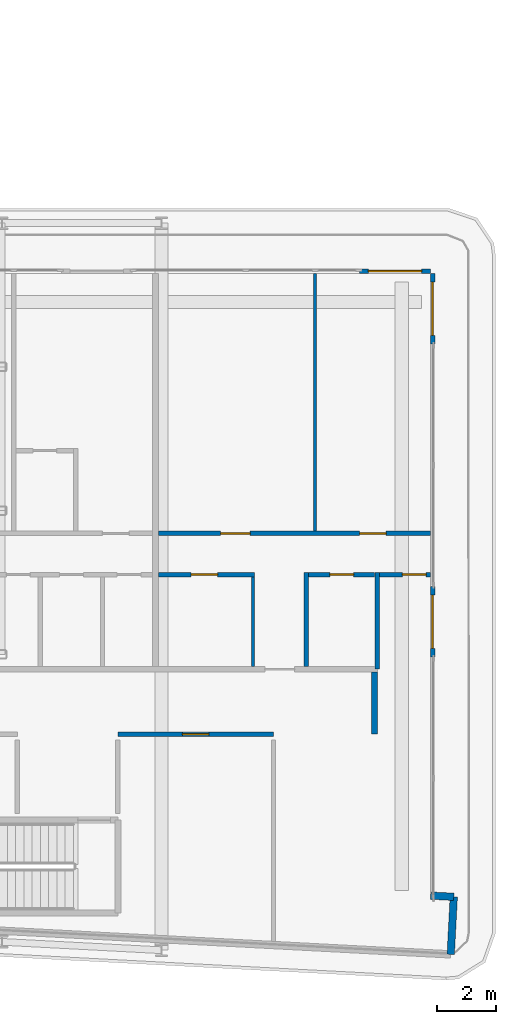
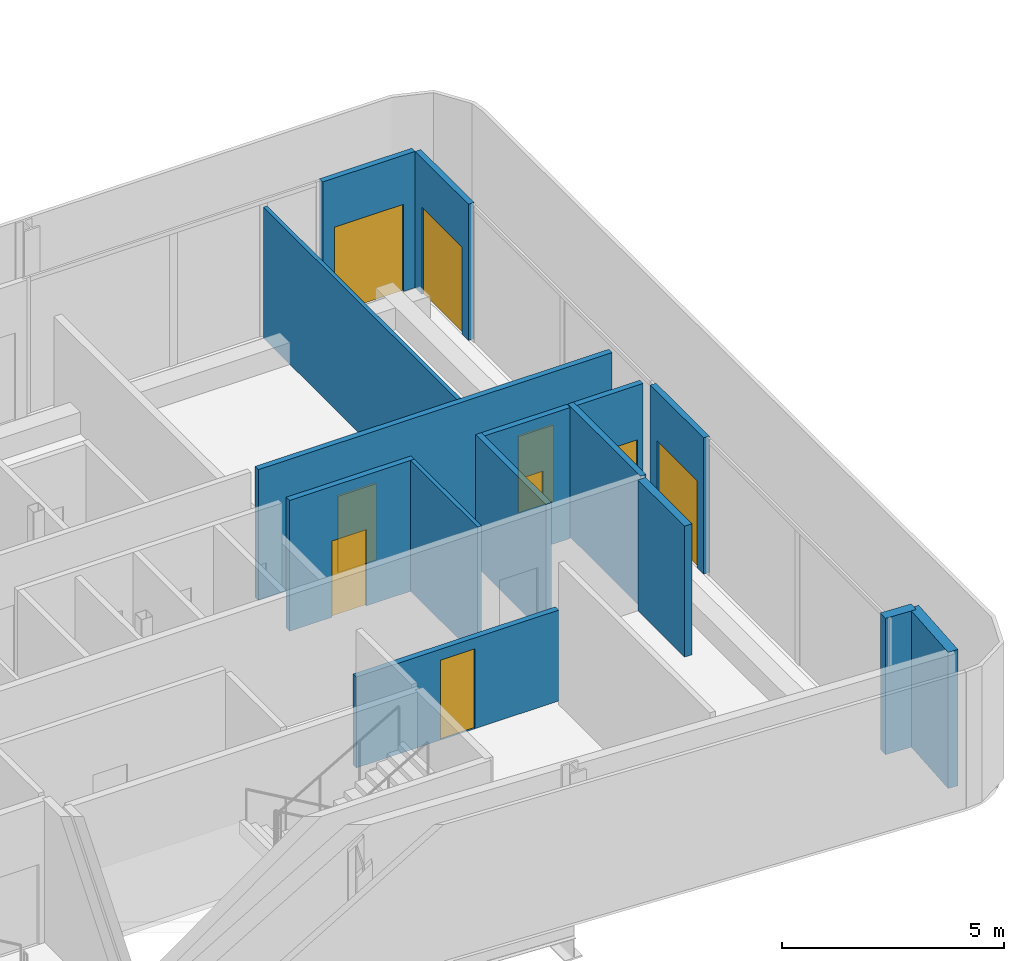
# One storey, part 20 of 29: 15 walls, 9 doors, 9 openings.
"""IFC4 building model written with IfcOpenShell, lengths in metres."""

from ifc_helpers import new_model, si_unit, direction, frame, frame_2d, origin, place, context, subcontext, project, spatial, rectangle, extrude, source, transform, mapped, material, layer, layer_set, type_object, element, fill, save


model = new_model("IFC4")

# Units and contexts
model_context = context("Model", 3, precision=1e-05, world=origin(), true_north=direction((0.0, 1.0)))
body_context = subcontext(model_context, "Body", "Model", "MODEL_VIEW")
ifc_project = project(units=[si_unit("LENGTHUNIT", "METRE"), si_unit("AREAUNIT", "SQUARE_METRE"), si_unit("VOLUMEUNIT", "CUBIC_METRE"), si_unit("PLANEANGLEUNIT", "RADIAN"), si_unit("MASSUNIT", "GRAM", prefix="KILO")], contexts=[model_context])

# Site, building, storey
site_placement = place(None, origin())
site = spatial("IfcSite", under=ifc_project, at=site_placement, CompositionType="ELEMENT")
building_placement = place(site_placement, origin())
building = spatial("IfcBuilding", under=site, at=building_placement, Name="Kheshtan School and Residences Tower", CompositionType="ELEMENT")
storey_placement = place(building_placement, frame((0.0, 0.0, 183.800048828125)))
storey = spatial("IfcBuildingStorey", under=building, at=storey_placement, Name="L43", CompositionType="ELEMENT", Elevation=183.800048828125)

# Walls
ifc_material_1 = material(Name="Gypsum board on steel studs with fire boards", Category="steel")
ifc_layer_1 = layer(ifc_material_1, 0.199951171875)
ifc_layer_set_1 = layer_set([ifc_layer_1], Name="Corridor wall 200")
wall_type_1 = type_object("IfcWallType", Name="Corridor wall 200", PredefinedType="PARTITIONING", material=ifc_layer_set_1)
wall_1_placement = place(storey_placement, frame((98.0, 28.300048828125, 0.0), z_axis=(0.0, 0.0, 1.0), x_axis=(0.0, 1.0, 0.0)))
element("IfcWall", 1, at=wall_1_placement, inside=storey, type_object=wall_type_1, Name="Partition L43-077", PredefinedType="PARTITIONING", context=body_context, shape_type="SweptSolid", body=[
    extrude(rectangle(XDim=2.099853515625, YDim=0.199951171875, at=frame_2d((1.0498046875, 0.0))), origin(), (0.0, 0.0, 1.0), 3.599853515625),
])
ifc_material_2 = material(Name="Concrete C40/50 with ceramic cladding and mineral wool insulation", Category="concrete")
ifc_layer_2 = layer(ifc_material_2, 0.25)
ifc_layer_set_2 = layer_set([ifc_layer_2], Name="External wall 250 ceramic clad")
wall_type_2 = type_object("IfcWallType", Name="External wall 250 ceramic clad", PredefinedType="SOLIDWALL", material=ifc_layer_set_2)
wall_2_placement = place(storey_placement, frame((99.906982421875, 22.839111328125, 0.0), z_axis=(0.0, 0.0, 1.0), x_axis=(0.998561284263, -0.053622398031, 0.0)))
element("IfcWall", 2, at=wall_2_placement, inside=storey, type_object=wall_type_2, Name="External wall L43 14", PredefinedType="SOLIDWALL", context=body_context, shape_type="SweptSolid", body=[
    extrude(rectangle(XDim=0.783203125, YDim=0.25, at=frame_2d((0.3916015625, 0.0))), origin(), (0.0, 0.0, 1.0), 3.75),
])
wall_3_placement = place(storey_placement, frame((100.68896484375, 22.797119140625, 0.0), z_axis=(0.0, 0.0, 1.0), x_axis=(-0.052841433274, -0.998602915542, 0.0)))
element("IfcWall", 3, at=wall_3_placement, inside=storey, type_object=wall_type_2, Name="External wall L43 15", PredefinedType="SOLIDWALL", context=body_context, shape_type="SweptSolid", body=[
    extrude(rectangle(XDim=1.94970703125, YDim=0.25, at=frame_2d((0.974853515625, 0.0))), origin(), (0.0, 0.0, 1.0), 3.75),
])

# Wall, opening, door
ifc_material_3 = material(Name="Aluminium frame wall with insulated infill", Category="aluminium")
ifc_layer_3 = layer(ifc_material_3, 0.14990234375)
ifc_layer_set_3 = layer_set([ifc_layer_3], Name="Glazing frame wall 150")
wall_type_3 = type_object("IfcWallType", Name="Glazing frame wall 150", PredefinedType="SOLIDWALL", material=ifc_layer_set_3)
wall_4_placement = place(storey_placement, frame((97.5, 43.97509765625, 0.0), z_axis=(0.0, 0.0, 1.0), x_axis=(1.0, 0.0, 0.0)))
wall_4 = element("IfcWall", 4, at=wall_4_placement, inside=storey, type_object=wall_type_3, Name="Balcony door wall L43 12.5", PredefinedType="SOLIDWALL", context=body_context, shape_type="SweptSolid", body=[
    extrude(rectangle(XDim=2.39990234375, YDim=0.14990234375, at=frame_2d((1.199951171875, 0.0))), origin(), (0.0, 0.0, 1.0), 3.75),
])
opening_1_placement = place(wall_4_placement, frame((0.300048828125, 0.0, 0.0)))
opening_1 = element("IfcOpeningElement", 5, at=opening_1_placement, cuts=wall_4, Name="Opening BD", PredefinedType="OPENING", context=body_context, shape_type="SweptSolid", body=[
    extrude(rectangle(XDim=1.800048828125, YDim=2.39990234375, at=frame_2d((0.89990234375, 1.199951171875))), frame((0.0, 0.0849609375, 0.0), z_axis=(0.0, -1.0, 0.0), x_axis=(1.0, 0.0, 0.0)), (0.0, 0.0, 1.0), 0.169921875),
])
ifc_material_4 = material(Name="Clear low-e glass in thermally broken aluminium frame", Category="aluminium")
door_type_1 = type_object("IfcDoorType", Name="Balcony sliding door", OperationType="SLIDING_TO_LEFT", PredefinedType="DOOR", material=ifc_material_4)
shared_shape_1 = source(origin(), body_context, "Body", "SweptSolid", [
    extrude(rectangle(XDim=1.800048828125, YDim=2.39990234375, at=frame_2d((0.89990234375, 1.199951171875))), frame((0.0, 0.02490234375, 0.0), z_axis=(0.0, -1.0, 0.0), x_axis=(1.0, 0.0, 0.0)), (0.0, 0.0, 1.0), 0.050048828125),
])
door_1_placement = place(opening_1_placement, origin())
door_1 = element("IfcDoor", 6, at=door_1_placement, inside=storey, type_object=door_type_1, Name="Balcony door L43 12.5", OperationType="SLIDING_TO_LEFT", OverallHeight=2.39990234375, OverallWidth=1.800048828125, PredefinedType="DOOR", context=body_context, shape_type="MappedRepresentation", body=[
    mapped(shared_shape_1, transform((0.0, 0.0, 0.0), x_axis=(1.0, 0.0, 0.0), y_axis=(0.0, 1.0, 0.0), z_axis=(0.0, 0.0, 1.0), scale=1.0)),
])
fill(opening_1, door_1)

wall_5_placement = place(storey_placement, frame((99.97509765625, 43.89990234375, 0.0), z_axis=(0.0, 0.0, 1.0), x_axis=(0.0, -1.0, 0.0)))
wall_5 = element("IfcWall", 7, at=wall_5_placement, inside=storey, type_object=wall_type_3, Name="Balcony door wall L43 13.1", PredefinedType="SOLIDWALL", context=body_context, shape_type="SweptSolid", body=[
    extrude(rectangle(XDim=2.39990234375, YDim=0.14990234375, at=frame_2d((1.199951171875, 0.0))), origin(), (0.0, 0.0, 1.0), 3.75),
])
opening_2_placement = place(wall_5_placement, frame((0.300048828125, 0.0, 0.0)))
opening_2 = element("IfcOpeningElement", 8, at=opening_2_placement, cuts=wall_5, Name="Opening BD", PredefinedType="OPENING", context=body_context, shape_type="SweptSolid", body=[
    extrude(rectangle(XDim=1.800048828125, YDim=2.39990234375, at=frame_2d((0.89990234375, 1.199951171875))), frame((0.0, 0.0849609375, 0.0), z_axis=(0.0, -1.0, 0.0), x_axis=(1.0, 0.0, 0.0)), (0.0, 0.0, 1.0), 0.169921875),
])
door_2_placement = place(opening_2_placement, origin())
door_2 = element("IfcDoor", 9, at=door_2_placement, inside=storey, type_object=door_type_1, Name="Balcony door L43 13.1", OperationType="SLIDING_TO_LEFT", OverallHeight=2.39990234375, OverallWidth=1.800048828125, PredefinedType="DOOR", context=body_context, shape_type="MappedRepresentation", body=[
    mapped(shared_shape_1, transform((0.0, 0.0, 0.0), x_axis=(1.0, 0.0, 0.0), y_axis=(0.0, 1.0, 0.0), z_axis=(0.0, 0.0, 1.0), scale=1.0)),
])
fill(opening_2, door_2)

wall_6_placement = place(storey_placement, frame((99.97509765625, 33.306884765625, 0.0), z_axis=(0.0, 0.0, 1.0), x_axis=(0.0, -1.0, 0.0)))
wall_6 = element("IfcWall", 10, at=wall_6_placement, inside=storey, type_object=wall_type_3, Name="Balcony door wall L43 13.2", PredefinedType="SOLIDWALL", context=body_context, shape_type="SweptSolid", body=[
    extrude(rectangle(XDim=2.39990234375, YDim=0.14990234375, at=frame_2d((1.199951171875, 0.0))), origin(), (0.0, 0.0, 1.0), 3.75),
])
opening_3_placement = place(wall_6_placement, frame((0.300048828125, 0.0, 0.0)))
opening_3 = element("IfcOpeningElement", 11, at=opening_3_placement, cuts=wall_6, Name="Opening BD", PredefinedType="OPENING", context=body_context, shape_type="SweptSolid", body=[
    extrude(rectangle(XDim=1.800048828125, YDim=2.39990234375, at=frame_2d((0.89990234375, 1.199951171875))), frame((0.0, 0.0849609375, 0.0), z_axis=(0.0, -1.0, 0.0), x_axis=(1.0, 0.0, 0.0)), (0.0, 0.0, 1.0), 0.169921875),
])
door_3_placement = place(opening_3_placement, origin())
door_3 = element("IfcDoor", 12, at=door_3_placement, inside=storey, type_object=door_type_1, Name="Balcony door L43 13.2", OperationType="SLIDING_TO_LEFT", OverallHeight=2.39990234375, OverallWidth=1.800048828125, PredefinedType="DOOR", context=body_context, shape_type="MappedRepresentation", body=[
    mapped(shared_shape_1, transform((0.0, 0.0, 0.0), x_axis=(1.0, 0.0, 0.0), y_axis=(0.0, 1.0, 0.0), z_axis=(0.0, 0.0, 1.0), scale=1.0)),
])
fill(opening_3, door_3)

# Walls
ifc_material_5 = material(Name="Gypsum board on steel studs", Category="steel")
ifc_layer_4 = layer(ifc_material_5, 0.10009765625)
ifc_layer_set_4 = layer_set([ifc_layer_4], Name="Gypsum partition 100")
wall_type_4 = type_object("IfcWallType", Name="Gypsum partition 100", PredefinedType="PARTITIONING", material=ifc_layer_set_4)
wall_7_placement = place(storey_placement, frame((93.89990234375, 30.60009765625, 0.0), z_axis=(0.0, 0.0, 1.0), x_axis=(0.0, 1.0, 0.0)))
element("IfcWall", 13, at=wall_7_placement, inside=storey, type_object=wall_type_4, Name="Partition L43-073", PredefinedType="PARTITIONING", context=body_context, shape_type="SweptSolid", body=[
    extrude(rectangle(XDim=3.02490234375, YDim=0.10009765625, at=frame_2d((1.512451171875, 0.0))), origin(), (0.0, 0.0, 1.0), 3.599853515625),
])
wall_8_placement = place(storey_placement, frame((96.0, 35.175048828125, 0.0), z_axis=(0.0, 0.0, 1.0), x_axis=(0.0, 1.0, 0.0)))
element("IfcWall", 14, at=wall_8_placement, inside=storey, type_object=wall_type_4, Name="Partition L43-076", PredefinedType="PARTITIONING", context=body_context, shape_type="SweptSolid", body=[
    extrude(rectangle(XDim=8.724853515625, YDim=0.10009765625, at=frame_2d((4.3623046875, 0.0))), origin(), (0.0, 0.0, 1.0), 3.599853515625),
])

# Wall, opening, door
ifc_material_6 = material(Name="Fire-board shaft wall system")
ifc_layer_5 = layer(ifc_material_6, 0.14990234375)
ifc_layer_set_5 = layer_set([ifc_layer_5], Name="Service room wall 150")
wall_type_5 = type_object("IfcWallType", Name="Service room wall 150", PredefinedType="PARTITIONING", material=ifc_layer_set_5)
wall_9_placement = place(storey_placement, frame((89.320068359375, 28.300048828125, 0.0), z_axis=(0.0, 0.0, 1.0), x_axis=(1.0, 0.0, 0.0)))
wall_9 = element("IfcWall", 15, at=wall_9_placement, inside=storey, type_object=wall_type_5, Name="Service room wall", PredefinedType="PARTITIONING", context=body_context, shape_type="SweptSolid", body=[
    extrude(rectangle(XDim=5.266845703125, YDim=0.14990234375, at=frame_2d((2.63330078125, 0.0))), origin(), (0.0, 0.0, 1.0), 2.5),
])
opening_4_placement = place(wall_9_placement, frame((2.18408203125, 0.0, 0.0)))
opening_4 = element("IfcOpeningElement", 16, at=opening_4_placement, cuts=wall_9, Name="Opening SR90", PredefinedType="OPENING", context=body_context, shape_type="SweptSolid", body=[
    extrude(rectangle(XDim=0.89990234375, YDim=2.199951171875, at=frame_2d((0.449951171875, 1.10009765625))), frame((0.0, 0.0849609375, 0.0), z_axis=(0.0, -1.0, 0.0), x_axis=(1.0, 0.0, 0.0)), (0.0, 0.0, 1.0), 0.169921875),
])
ifc_material_7 = material(Name="Steel door leaf, galvanised", Category="steel")
door_type_2 = type_object("IfcDoorType", Name="Service room door 900 steel 90 min", OperationType="SINGLE_SWING_LEFT", PredefinedType="DOOR", material=ifc_material_7)
shared_shape_2 = source(origin(), body_context, "Body", "SweptSolid", [
    extrude(rectangle(XDim=0.89990234375, YDim=2.199951171875, at=frame_2d((0.449951171875, 1.10009765625))), frame((0.0, 0.02490234375, 0.0), z_axis=(0.0, -1.0, 0.0), x_axis=(1.0, 0.0, 0.0)), (0.0, 0.0, 1.0), 0.050048828125),
])
door_4_placement = place(opening_4_placement, origin())
door_4 = element("IfcDoor", 17, at=door_4_placement, inside=storey, type_object=door_type_2, Name="Service room door", OperationType="SINGLE_SWING_LEFT", OverallHeight=2.199951171875, OverallWidth=0.89990234375, PredefinedType="DOOR", context=body_context, shape_type="MappedRepresentation", body=[
    mapped(shared_shape_2, transform((0.0, 0.0, 0.0), x_axis=(1.0, 0.0, 0.0), y_axis=(0.0, 1.0, 0.0), z_axis=(0.0, 0.0, 1.0), scale=1.0)),
])
fill(opening_4, door_4)

ifc_material_8 = material(Name="Moisture-resistant gypsum board on steel studs", Category="steel")
ifc_layer_6 = layer(ifc_material_8, 0.14990234375)
ifc_layer_set_6 = layer_set([ifc_layer_6], Name="Wet-room partition 150")
wall_type_6 = type_object("IfcWallType", Name="Wet-room partition 150", PredefinedType="PARTITIONING", material=ifc_layer_set_6)
wall_10_placement = place(storey_placement, frame((90.699951171875, 33.699951171875, 0.0), z_axis=(0.0, 0.0, 1.0), x_axis=(1.0, 0.0, 0.0)))
wall_10 = element("IfcWall", 18, at=wall_10_placement, inside=storey, type_object=wall_type_6, Name="Partition L43-071", PredefinedType="PARTITIONING", context=body_context, shape_type="SweptSolid", body=[
    extrude(rectangle(XDim=3.25, YDim=0.14990234375, at=frame_2d((1.625, 0.0))), origin(), (0.0, 0.0, 1.0), 3.599853515625),
])
opening_5_placement = place(wall_10_placement, frame((1.10009765625, 0.0, 0.0)))
opening_5 = element("IfcOpeningElement", 19, at=opening_5_placement, cuts=wall_10, Name="Opening D43-031", PredefinedType="OPENING", context=body_context, shape_type="SweptSolid", body=[
    extrude(rectangle(XDim=0.89990234375, YDim=2.10009765625, at=frame_2d((0.449951171875, 1.050048828125))), frame((0.0, 0.0849609375, 0.0), z_axis=(0.0, -1.0, 0.0), x_axis=(1.0, 0.0, 0.0)), (0.0, 0.0, 1.0), 0.169921875),
])
ifc_material_9 = material(Name="Veneered timber door leaf", Category="wood")
door_type_3 = type_object("IfcDoorType", Name="Door 900 x 2100", OperationType="SINGLE_SWING_LEFT", PredefinedType="DOOR", material=ifc_material_9)
shared_shape_3 = source(origin(), body_context, "Body", "SweptSolid", [
    extrude(rectangle(XDim=0.89990234375, YDim=2.10009765625, at=frame_2d((0.449951171875, 1.050048828125))), frame((0.0, 0.02490234375, 0.0), z_axis=(0.0, -1.0, 0.0), x_axis=(1.0, 0.0, 0.0)), (0.0, 0.0, 1.0), 0.050048828125),
])
door_5_placement = place(opening_5_placement, origin())
door_5 = element("IfcDoor", 20, at=door_5_placement, inside=storey, type_object=door_type_3, Name="Door D43-031", OperationType="SINGLE_SWING_RIGHT", OverallHeight=2.10009765625, OverallWidth=0.89990234375, PredefinedType="DOOR", context=body_context, shape_type="MappedRepresentation", body=[
    mapped(shared_shape_3, transform((0.0, 0.0, 0.0), x_axis=(1.0, 0.0, 0.0), y_axis=(0.0, 1.0, 0.0), z_axis=(0.0, 0.0, 1.0), scale=1.0)),
])
fill(opening_5, door_5)

# Wall, openings, doors
wall_11_placement = place(storey_placement, frame((90.699951171875, 35.10009765625, 0.0), z_axis=(0.0, 0.0, 1.0), x_axis=(1.0, 0.0, 0.0)))
wall_11 = element("IfcWall", 21, at=wall_11_placement, inside=storey, type_object=wall_type_6, Name="Partition L43-072", PredefinedType="PARTITIONING", context=body_context, shape_type="SweptSolid", body=[
    extrude(rectangle(XDim=9.199951171875, YDim=0.14990234375, at=frame_2d((4.60009765625, 0.0))), origin(), (0.0, 0.0, 1.0), 3.599853515625),
])
opening_6_placement = place(wall_11_placement, frame((6.800048828125, 0.0, 0.0)))
opening_6 = element("IfcOpeningElement", 22, at=opening_6_placement, cuts=wall_11, Name="Opening D43-029", PredefinedType="OPENING", context=body_context, shape_type="SweptSolid", body=[
    extrude(rectangle(XDim=0.89990234375, YDim=2.10009765625, at=frame_2d((0.449951171875, 1.050048828125))), frame((0.0, 0.0849609375, 0.0), z_axis=(0.0, -1.0, 0.0), x_axis=(1.0, 0.0, 0.0)), (0.0, 0.0, 1.0), 0.169921875),
])
opening_7_placement = place(wall_11_placement, frame((2.10009765625, 0.0, 0.0)))
opening_7 = element("IfcOpeningElement", 23, at=opening_7_placement, cuts=wall_11, Name="Opening D43-032", PredefinedType="OPENING", context=body_context, shape_type="SweptSolid", body=[
    extrude(rectangle(XDim=1.0, YDim=2.10009765625, at=frame_2d((0.5, 1.050048828125))), frame((0.0, 0.0849609375, 0.0), z_axis=(0.0, -1.0, 0.0), x_axis=(1.0, 0.0, 0.0)), (0.0, 0.0, 1.0), 0.169921875),
])
door_type_4 = type_object("IfcDoorType", Name="Door 1000 x 2100", OperationType="SINGLE_SWING_LEFT", PredefinedType="DOOR", material=ifc_material_9)
shared_shape_4 = source(origin(), body_context, "Body", "SweptSolid", [
    extrude(rectangle(XDim=1.0, YDim=2.10009765625, at=frame_2d((0.5, 1.050048828125))), frame((0.0, 0.02490234375, 0.0), z_axis=(0.0, -1.0, 0.0), x_axis=(1.0, 0.0, 0.0)), (0.0, 0.0, 1.0), 0.050048828125),
])
door_6_placement = place(opening_7_placement, origin())
door_6 = element("IfcDoor", 24, at=door_6_placement, inside=storey, type_object=door_type_4, Name="Door D43-032", OperationType="SINGLE_SWING_RIGHT", OverallHeight=2.10009765625, OverallWidth=1.0, PredefinedType="DOOR", context=body_context, shape_type="MappedRepresentation", body=[
    mapped(shared_shape_4, transform((0.0, 0.0, 0.0), x_axis=(1.0, 0.0, 0.0), y_axis=(0.0, 1.0, 0.0), z_axis=(0.0, 0.0, 1.0), scale=1.0)),
])
fill(opening_7, door_6)
door_7_placement = place(opening_6_placement, origin())
door_7 = element("IfcDoor", 25, at=door_7_placement, inside=storey, type_object=door_type_3, Name="Door D43-029", OperationType="SINGLE_SWING_LEFT", OverallHeight=2.10009765625, OverallWidth=0.89990234375, PredefinedType="DOOR", context=body_context, shape_type="MappedRepresentation", body=[
    mapped(shared_shape_3, transform((0.0, 0.0, 0.0), x_axis=(1.0, 0.0, 0.0), y_axis=(0.0, 1.0, 0.0), z_axis=(0.0, 0.0, 1.0), scale=1.0)),
])
fill(opening_6, door_7)

# Wall
wall_12_placement = place(storey_placement, frame((95.699951171875, 30.60009765625, 0.0), z_axis=(0.0, 0.0, 1.0), x_axis=(0.0, 1.0, 0.0)))
element("IfcWall", 26, at=wall_12_placement, inside=storey, type_object=wall_type_6, Name="Partition L43-074", PredefinedType="PARTITIONING", context=body_context, shape_type="SweptSolid", body=[
    extrude(rectangle(XDim=3.1748046875, YDim=0.14990234375, at=frame_2d((1.58740234375, 0.0))), origin(), (0.0, 0.0, 1.0), 3.599853515625),
])

# Wall, opening, door
wall_13_placement = place(storey_placement, frame((95.77490234375, 33.699951171875, 0.0), z_axis=(0.0, 0.0, 1.0), x_axis=(1.0, 0.0, 0.0)))
wall_13 = element("IfcWall", 27, at=wall_13_placement, inside=storey, type_object=wall_type_6, Name="Partition L43-075", PredefinedType="PARTITIONING", context=body_context, shape_type="SweptSolid", body=[
    extrude(rectangle(XDim=2.22509765625, YDim=0.14990234375, at=frame_2d((1.112548828125, 0.0))), origin(), (0.0, 0.0, 1.0), 3.599853515625),
])
opening_8_placement = place(wall_13_placement, frame((0.72509765625, 0.0, 0.0)))
opening_8 = element("IfcOpeningElement", 28, at=opening_8_placement, cuts=wall_13, Name="Opening D43-028", PredefinedType="OPENING", context=body_context, shape_type="SweptSolid", body=[
    extrude(rectangle(XDim=0.800048828125, YDim=2.10009765625, at=frame_2d((0.39990234375, 1.050048828125))), frame((0.0, 0.0849609375, 0.0), z_axis=(0.0, -1.0, 0.0), x_axis=(1.0, 0.0, 0.0)), (0.0, 0.0, 1.0), 0.169921875),
])
door_type_5 = type_object("IfcDoorType", Name="Door 800 x 2100", OperationType="SINGLE_SWING_LEFT", PredefinedType="DOOR", material=ifc_material_9)
shared_shape_5 = source(origin(), body_context, "Body", "SweptSolid", [
    extrude(rectangle(XDim=0.800048828125, YDim=2.10009765625, at=frame_2d((0.39990234375, 1.050048828125))), frame((0.0, 0.02490234375, 0.0), z_axis=(0.0, -1.0, 0.0), x_axis=(1.0, 0.0, 0.0)), (0.0, 0.0, 1.0), 0.050048828125),
])
door_8_placement = place(opening_8_placement, origin())
door_8 = element("IfcDoor", 29, at=door_8_placement, inside=storey, type_object=door_type_5, Name="Door D43-028", OperationType="SINGLE_SWING_RIGHT", OverallHeight=2.10009765625, OverallWidth=0.800048828125, PredefinedType="DOOR", context=body_context, shape_type="MappedRepresentation", body=[
    mapped(shared_shape_5, transform((0.0, 0.0, 0.0), x_axis=(1.0, 0.0, 0.0), y_axis=(0.0, 1.0, 0.0), z_axis=(0.0, 0.0, 1.0), scale=1.0)),
])
fill(opening_8, door_8)

# Wall
wall_14_placement = place(storey_placement, frame((98.10009765625, 30.5, 0.0), z_axis=(0.0, 0.0, 1.0), x_axis=(0.0, 1.0, 0.0)))
element("IfcWall", 30, at=wall_14_placement, inside=storey, type_object=wall_type_6, Name="Partition L43-078", PredefinedType="PARTITIONING", context=body_context, shape_type="SweptSolid", body=[
    extrude(rectangle(XDim=3.27490234375, YDim=0.14990234375, at=frame_2d((1.637451171875, 0.0))), origin(), (0.0, 0.0, 1.0), 3.599853515625),
])

# Wall, opening, door
wall_15_placement = place(storey_placement, frame((98.175048828125, 33.699951171875, 0.0), z_axis=(0.0, 0.0, 1.0), x_axis=(1.0, 0.0, 0.0)))
wall_15 = element("IfcWall", 31, at=wall_15_placement, inside=storey, type_object=wall_type_6, Name="Partition L43-079", PredefinedType="PARTITIONING", context=body_context, shape_type="SweptSolid", body=[
    extrude(rectangle(XDim=1.724853515625, YDim=0.14990234375, at=frame_2d((0.8623046875, 0.0))), origin(), (0.0, 0.0, 1.0), 3.599853515625),
])
opening_9_placement = place(wall_15_placement, frame((0.77490234375, 0.0, 0.0)))
opening_9 = element("IfcOpeningElement", 32, at=opening_9_placement, cuts=wall_15, Name="Opening D43-033", PredefinedType="OPENING", context=body_context, shape_type="SweptSolid", body=[
    extrude(rectangle(XDim=0.800048828125, YDim=2.10009765625, at=frame_2d((0.39990234375, 1.050048828125))), frame((0.0, 0.0849609375, 0.0), z_axis=(0.0, -1.0, 0.0), x_axis=(1.0, 0.0, 0.0)), (0.0, 0.0, 1.0), 0.169921875),
])
door_9_placement = place(opening_9_placement, origin())
door_9 = element("IfcDoor", 33, at=door_9_placement, inside=storey, type_object=door_type_5, Name="Door D43-033", OperationType="SINGLE_SWING_RIGHT", OverallHeight=2.10009765625, OverallWidth=0.800048828125, PredefinedType="DOOR", context=body_context, shape_type="MappedRepresentation", body=[
    mapped(shared_shape_5, transform((0.0, 0.0, 0.0), x_axis=(1.0, 0.0, 0.0), y_axis=(0.0, 1.0, 0.0), z_axis=(0.0, 0.0, 1.0), scale=1.0)),
])
fill(opening_9, door_9)

save(model, "model.ifc")
